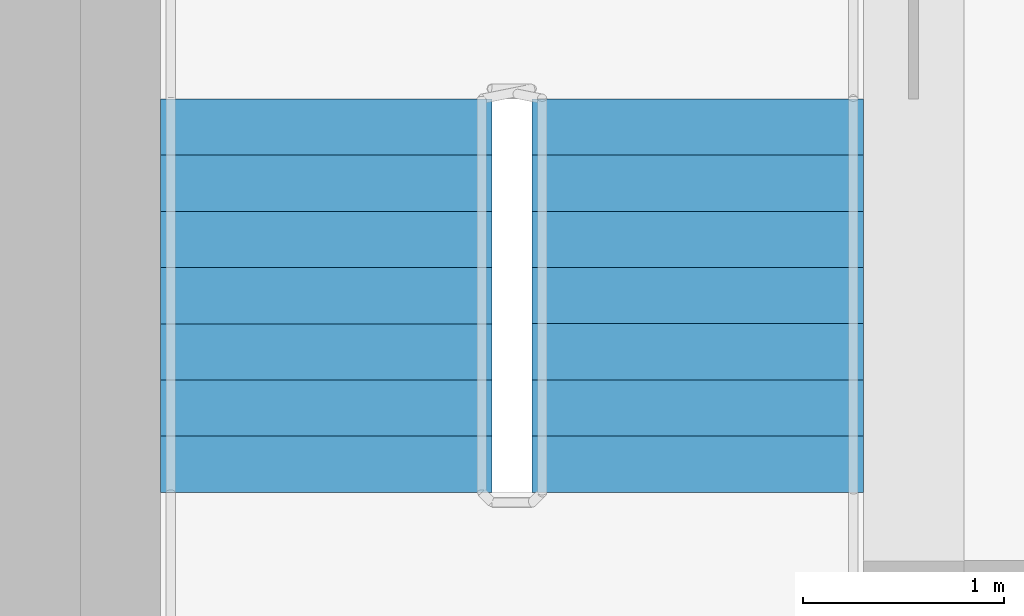
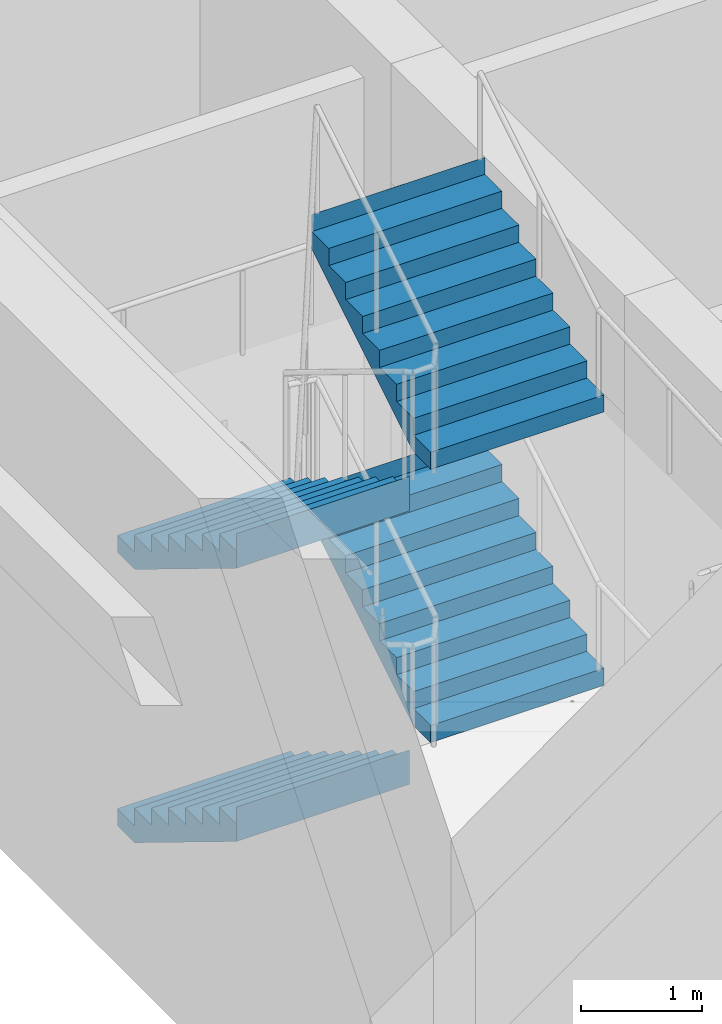
# One storey, part 4 of 8: 4 stair flights, 1 element without a shape of its own.
"""IFC4 building model written with IfcOpenShell, lengths in metres."""

import ifcopenshell
import ifcopenshell.guid

model = None  # the IFC model being written
_history = None  # IfcOwnerHistory: only IFC2X3 demands one
_inside = {}  # id of a spatial element -> (the spatial element, [elements in it])
_under = {}  # id of a project, library or spatial element -> (it, [spatial elements below it])
_declared = {}  # id of a project -> (the project, [libraries it declares])
_typed = {}  # id of a type object -> (the type object, [elements of that type])
_made_of = {}  # id of a material, layer set ... -> (it, [elements and type objects made of it])


def new_model(schema):
    """Start an empty IFC model of exactly this schema.

    Asked for "IFC4X3", IfcOpenShell would pick the latest addendum, in which some entities
    have other attributes; the version numbers below select the first issue.
    IFC2X3 requires an IfcOwnerHistory on every rooted entity: one is made here for all.
    """
    global model, _history
    if schema == "IFC4X3":
        model = ifcopenshell.file(schema_version=(4, 3, 0, 0))
    else:
        model = ifcopenshell.file(schema=schema)
    _inside.clear()
    _under.clear()
    _declared.clear()
    _typed.clear()
    _made_of.clear()
    _history = None
    if model.schema == "IFC2X3":
        org = make("IfcOrganization", Name="unknown")
        user = make(
            "IfcPersonAndOrganization",
            ThePerson=make("IfcPerson", FamilyName="unknown"),
            TheOrganization=org,
        )
        app = make(
            "IfcApplication",
            ApplicationDeveloper=org,
            Version="unknown",
            ApplicationFullName="unknown",
            ApplicationIdentifier="unknown",
        )
        _history = make(
            "IfcOwnerHistory",
            OwningUser=user,
            OwningApplication=app,
            ChangeAction="ADDED",
            CreationDate=0,
        )
    return model


def make(cls, **values):
    """One entity of the class cls with the attributes given. An attribute that is None is left unset."""
    return model.create_entity(
        cls, **{name: value for name, value in values.items() if value is not None}
    )


def rooted(cls, **values):
    """An entity with a GlobalId (a new one), such as an element, a storey or a relation."""
    return make(cls, GlobalId=ifcopenshell.guid.new(), OwnerHistory=_history, **values)


def si_unit(unit_type, name, prefix=None):
    """IfcSIUnit, for example si_unit("LENGTHUNIT", "METRE", prefix="MILLI")."""
    return make("IfcSIUnit", UnitType=unit_type, Prefix=prefix, Name=name)


def assignment(units):
    """IfcUnitAssignment: the units of a project."""
    return None if units is None else make("IfcUnitAssignment", Units=units)


def point(xyz):
    """IfcCartesianPoint."""
    return None if xyz is None else make("IfcCartesianPoint", Coordinates=xyz)


def direction(xyz):
    """IfcDirection."""
    return None if xyz is None else make("IfcDirection", DirectionRatios=xyz)


def frame(location, z_axis=None, x_axis=None):
    """IfcAxis2Placement3D, a coordinate frame: its origin and axes. An axis left out is left unset."""
    return make(
        "IfcAxis2Placement3D",
        Location=point(location),
        Axis=direction(z_axis),
        RefDirection=direction(x_axis),
    )


def origin():
    """The frame at (0, 0, 0) with its axes left unset."""
    return frame((0.0, 0.0, 0.0))


def place(relative_to, where):
    """IfcLocalPlacement: puts the frame where relative to a parent placement (None: the world)."""
    return make(
        "IfcLocalPlacement", PlacementRelTo=relative_to, RelativePlacement=where
    )


def context(
    kind, dimensions, precision=None, world=None, true_north=None, identifier=None
):
    """IfcGeometricRepresentationContext, for example the 3D "Model" context."""
    return make(
        "IfcGeometricRepresentationContext",
        ContextIdentifier=identifier,
        ContextType=kind,
        CoordinateSpaceDimension=dimensions,
        Precision=precision,
        WorldCoordinateSystem=world,
        TrueNorth=true_north,
    )


def subcontext(parent, identifier, kind, view, scale=None):
    """IfcGeometricRepresentationSubContext, for example "Body" below "Model"."""
    return make(
        "IfcGeometricRepresentationSubContext",
        ContextIdentifier=identifier,
        ContextType=kind,
        ParentContext=parent,
        TargetScale=scale,
        TargetView=view,
    )


def project(units=None, contexts=None):
    """IfcProject with its units and contexts."""
    return rooted(
        "IfcProject",
        Name="project",
        RepresentationContexts=contexts,
        UnitsInContext=assignment(units),
    )


def spatial(cls, under=None, at=None, **own):
    """A site, building, storey or space (cls), placed at a placement, below another one or the project."""
    s = rooted(cls, ObjectPlacement=at, **own)
    if under is not None:
        _under.setdefault(under.id(), (under, []))[1].append(s)
    return s


def polyline(points):
    """IfcPolyline through the points."""
    return make("IfcPolyline", Points=[point(p) for p in points])


def outline(outer, holes=None, kind="AREA"):
    """IfcArbitraryClosedProfileDef: a profile drawn as a closed curve; with holes, ...WithVoids."""
    if holes is None:
        return make("IfcArbitraryClosedProfileDef", ProfileType=kind, OuterCurve=outer)
    return make(
        "IfcArbitraryProfileDefWithVoids",
        ProfileType=kind,
        OuterCurve=outer,
        InnerCurves=holes,
    )


def extrude(swept, where, along, depth):
    """IfcExtrudedAreaSolid: the profile swept, set in the frame where, extruded along a direction by depth."""
    return make(
        "IfcExtrudedAreaSolid",
        SweptArea=swept,
        Position=where,
        ExtrudedDirection=direction(along),
        Depth=depth,
    )


def shape(context_of_items, identifier, shape_type, items):
    """IfcShapeRepresentation: the items that make up one representation, for example the "Body"."""
    return make(
        "IfcShapeRepresentation",
        ContextOfItems=context_of_items,
        RepresentationIdentifier=identifier,
        RepresentationType=shape_type,
        Items=items,
    )


def material(Name=None, Category=None):
    """IfcMaterial."""
    return make("IfcMaterial", Name=Name, Category=Category)


def made_of(thing, what):
    """Note that an element or type object is made of a material, layer set ...; save() writes the relation."""
    if what is not None:
        _made_of.setdefault(what.id(), (what, []))[1].append(thing)
    return thing


def type_object(cls, material=None, **own):
    """A type object (cls), such as IfcWallType, which elements share."""
    return made_of(rooted(cls, **own), material)


def element(
    cls,
    number,
    at=None,
    inside=None,
    cuts=None,
    type_object=None,
    material=None,
    context=None,
    identifier="Body",
    shape_type=None,
    held_by="IfcProductDefinitionShape",
    body=None,
    shapes=None,
    **own,
):
    """One element of the class cls, such as IfcWall. Its Tag is "e" and its number.

    at: its placement. inside: the storey or other place that contains it. cuts: it is an
    opening in that element (IfcRelVoidsElement). A single representation is given by context,
    identifier, shape_type and body (its items); several are given by shapes. held_by: the class
    of the entity that holds the representations. save() writes the other relations.
    """
    e = rooted(cls, Tag="e%d" % number, ObjectPlacement=at, **own)
    if body is not None:
        shapes = [shape(context, identifier, shape_type, body)]
    if shapes is not None:
        e.Representation = make(held_by, Representations=shapes)
    if inside is not None:
        _inside.setdefault(inside.id(), (inside, []))[1].append(e)
    if cuts is not None:
        rooted(
            "IfcRelVoidsElement", RelatingBuildingElement=cuts, RelatedOpeningElement=e
        )
    if type_object is not None:
        _typed.setdefault(type_object.id(), (type_object, []))[1].append(e)
    return made_of(e, material)


def aggregate(whole, parts):
    """IfcRelAggregates: a whole, such as a stair, and the parts it consists of."""
    return rooted("IfcRelAggregates", RelatingObject=whole, RelatedObjects=parts)


def save(model, path):
    """Write the relations noted so far, then the file.

    IfcRelAggregates (storeys below a building ...), IfcRelContainedInSpatialStructure (elements
    in a storey), IfcRelDefinesByType, IfcRelAssociatesMaterial and IfcRelDeclares: one each for
    every whole, place, type object, material and project.
    """
    for whole, parts in _under.values():
        aggregate(whole, parts)
    for where, things in _inside.values():
        rooted(
            "IfcRelContainedInSpatialStructure",
            RelatedElements=things,
            RelatingStructure=where,
        )
    for kind, things in _typed.values():
        rooted("IfcRelDefinesByType", RelatedObjects=things, RelatingType=kind)
    for what, things in _made_of.values():
        rooted("IfcRelAssociatesMaterial", RelatedObjects=things, RelatingMaterial=what)
    for by, libraries in _declared.values():
        rooted("IfcRelDeclares", RelatingContext=by, RelatedDefinitions=libraries)
    model.write(path)


model = new_model("IFC4")

# Units and contexts
model_context = context("Model", 3, precision=1e-05, world=origin(), true_north=direction((0.0, 1.0)))
body_context = subcontext(model_context, "Body", "Model", "MODEL_VIEW")
ifc_project = project(units=[si_unit("LENGTHUNIT", "METRE"), si_unit("AREAUNIT", "SQUARE_METRE"), si_unit("VOLUMEUNIT", "CUBIC_METRE"), si_unit("PLANEANGLEUNIT", "RADIAN"), si_unit("MASSUNIT", "GRAM", prefix="KILO")], contexts=[model_context])

# Site, building, storey
site_placement = place(None, origin())
site = spatial("IfcSite", under=ifc_project, at=site_placement, CompositionType="ELEMENT")
building_placement = place(site_placement, origin())
building = spatial("IfcBuilding", under=site, at=building_placement, Name="Tamorin Gate", CompositionType="ELEMENT")
storey_placement = place(building_placement, frame((0.0, 0.0, 314.699951171875)))
storey = spatial("IfcBuildingStorey", under=building, at=storey_placement, Name="L77", CompositionType="ELEMENT", Elevation=314.699951171875)

# Stair, stair flights
ifc_material = material(Name="Concrete C40/50", Category="concrete")
stair_type = type_object("IfcStairType", Name="Exit stair", PredefinedType="HALF_TURN_STAIR", material=ifc_material)
stair_placement = place(storey_placement, origin())
stair = element("IfcStair", 1, at=stair_placement, inside=storey, type_object=stair_type, Name="L77 stair ST1", PredefinedType="HALF_TURN_STAIR")
stair_flight_type = type_object("IfcStairFlightType", Name="Exit stair flight", PredefinedType="STRAIGHT", material=ifc_material)
stair_flight_1_placement = place(storey_placement, frame((31.824951171875, 66.5, 0.0), z_axis=(0.0, 0.0, 1.0), x_axis=(0.0, -1.0, 0.0)))
stair_flight_1 = element("IfcStairFlight", 2, at=stair_flight_1_placement, type_object=stair_flight_type, Name="ST1 flight 1", NumberOfRisers=8, NumberOfTreads=7, PredefinedType="STRAIGHT", RiserHeight=0.171875, TreadLength=0.28, context=body_context, shape_type="SweptSolid", body=[
    extrude(outline(polyline([(-0.00048828125, 0.0), (-0.00048828125, 0.001708984375), (-0.00048828125, 0.00341796875), (-0.00048828125, 0.005126953125), (-0.00048828125, 0.0068359375), (-0.00048828125, 0.008544921875), (-0.00048828125, 0.01025390625), (-0.00048828125, 0.011962890625), (-0.00048828125, 0.013671875), (-0.00048828125, 0.015380859375), (-0.00048828125, 0.01708984375), (-0.00048828125, 0.018798828125), (-0.00048828125, 0.0205078125), (-0.00048828125, 0.022216796875), (-0.00048828125, 0.02392578125), (-0.00048828125, 0.025634765625), (-0.00048828125, 0.02734375), (-0.00048828125, 0.02880859375), (-0.00048828125, 0.030517578125), (-0.00048828125, 0.0322265625), (-0.00048828125, 0.033935546875), (-0.00048828125, 0.03564453125), (-0.00048828125, 0.037353515625), (-0.00048828125, 0.0390625), (-0.00048828125, 0.040771484375), (-0.00048828125, 0.04248046875), (-0.00048828125, 0.044189453125), (-0.00048828125, 0.0458984375), (-0.00048828125, 0.047607421875), (-0.00048828125, 0.04931640625), (-0.00048828125, 0.051025390625), (-0.00048828125, 0.052734375), (-0.00048828125, 0.054443359375), (-0.00048828125, 0.05615234375), (-0.00048828125, 0.057861328125), (-0.00048828125, 0.0595703125), (-0.00048828125, 0.061279296875), (-0.00048828125, 0.06298828125), (-0.00048828125, 0.064697265625), (-0.00048828125, 0.06640625), (-0.00048828125, 0.068115234375), (-0.00048828125, 0.06982421875), (-0.00048828125, 0.071533203125), (-0.00048828125, 0.0732421875), (-0.00048828125, 0.074951171875), (-0.00048828125, 0.07666015625), (-0.00048828125, 0.078369140625), (-0.00048828125, 0.080078125), (-0.00048828125, 0.081787109375), (-0.00048828125, 0.08349609375), (-0.00048828125, 0.085205078125), (-0.00048828125, 0.086669921875), (-0.00048828125, 0.08837890625), (-0.00048828125, 0.090087890625), (-0.00048828125, 0.091796875), (-0.00048828125, 0.093505859375), (-0.00048828125, 0.09521484375), (-0.00048828125, 0.096923828125), (-0.00048828125, 0.0986328125), (-0.00048828125, 0.100341796875), (-0.00048828125, 0.10205078125), (-0.00048828125, 0.103759765625), (-0.00048828125, 0.10546875), (-0.00048828125, 0.107177734375), (-0.00048828125, 0.10888671875), (-0.00048828125, 0.110595703125), (-0.00048828125, 0.1123046875), (-0.00048828125, 0.114013671875), (-0.00048828125, 0.11572265625), (-0.00048828125, 0.117431640625), (-0.00048828125, 0.119140625), (-0.00048828125, 0.120849609375), (-0.00048828125, 0.12255859375), (-0.00048828125, 0.124267578125), (-0.00048828125, 0.1259765625), (-0.00048828125, 0.127685546875), (-0.00048828125, 0.12939453125), (-0.00048828125, 0.131103515625), (-0.00048828125, 0.1328125), (-0.00048828125, 0.134521484375), (-0.00048828125, 0.13623046875), (-0.00048828125, 0.137939453125), (-0.00048828125, 0.1396484375), (-0.00048828125, 0.141357421875), (-0.00048828125, 0.14306640625), (-0.00048828125, 0.14453125), (-0.00048828125, 0.146240234375), (-0.00048828125, 0.14794921875), (-0.00048828125, 0.149658203125), (-0.00048828125, 0.1513671875), (-0.00048828125, 0.153076171875), (-0.00048828125, 0.15478515625), (-0.00048828125, 0.156494140625), (-0.00048828125, 0.158203125), (-0.00048828125, 0.159912109375), (-0.00048828125, 0.16162109375), (-0.00048828125, 0.163330078125), (-0.00048828125, 0.1650390625), (-0.00048828125, 0.166748046875), (-0.00048828125, 0.16845703125), (-0.00048828125, 0.170166015625), (-0.00048828125, 0.171875), (0.280029296875, 0.171875), (0.280029296875, 0.34375), (0.56005859375, 0.34375), (0.56005859375, 0.515625), (0.840087890625, 0.515625), (0.840087890625, 0.6875), (1.1201171875, 0.6875), (1.1201171875, 0.859375), (1.39990234375, 0.859375), (1.39990234375, 1.03125), (1.679931640625, 1.03125), (1.679931640625, 1.203125), (1.9599609375, 1.203125), (1.9599609375, 1.375), (1.96044921875, 1.375), (1.96044921875, 1.37158203125), (1.96044921875, 1.3681640625), (1.96044921875, 1.36474609375), (1.96044921875, 1.361328125), (1.96044921875, 1.357666015625), (1.96044921875, 1.354248046875), (1.96044921875, 1.350830078125), (1.96044921875, 1.347412109375), (1.96044921875, 1.343994140625), (1.96044921875, 1.340576171875), (1.96044921875, 1.337158203125), (1.96044921875, 1.333740234375), (1.96044921875, 1.330322265625), (1.96044921875, 1.326904296875), (1.96044921875, 1.3232421875), (1.96044921875, 1.31982421875), (1.96044921875, 1.31640625), (1.96044921875, 1.31298828125), (1.96044921875, 1.3095703125), (1.96044921875, 1.30615234375), (1.96044921875, 1.302734375), (1.96044921875, 1.29931640625), (1.96044921875, 1.2958984375), (1.96044921875, 1.29248046875), (1.96044921875, 1.288818359375), (1.96044921875, 1.285400390625), (1.96044921875, 1.281982421875), (1.96044921875, 1.278564453125), (1.96044921875, 1.275146484375), (1.96044921875, 1.271728515625), (1.96044921875, 1.268310546875), (1.96044921875, 1.264892578125), (1.96044921875, 1.261474609375), (1.96044921875, 1.2578125), (1.96044921875, 1.25439453125), (1.96044921875, 1.2509765625), (1.96044921875, 1.24755859375), (1.96044921875, 1.244140625), (1.96044921875, 1.24072265625), (1.96044921875, 1.2373046875), (1.96044921875, 1.23388671875), (1.96044921875, 1.23046875), (1.96044921875, 1.22705078125), (1.96044921875, 1.223388671875), (1.96044921875, 1.219970703125), (1.96044921875, 1.216552734375), (1.96044921875, 1.213134765625), (1.96044921875, 1.209716796875), (1.96044921875, 1.206298828125), (1.96044921875, 1.202880859375), (1.96044921875, 1.199462890625), (1.96044921875, 1.196044921875), (1.96044921875, 1.192626953125), (1.96044921875, 1.18896484375), (1.96044921875, 1.185546875), (1.96044921875, 1.18212890625), (1.96044921875, 1.1787109375), (1.96044921875, 1.17529296875), (1.96044921875, 1.171875), (1.96044921875, 1.16845703125), (1.96044921875, 1.1650390625), (1.96044921875, 1.16162109375), (1.96044921875, 1.157958984375), (1.96044921875, 1.154541015625), (1.96044921875, 1.151123046875), (1.96044921875, 1.147705078125), (1.96044921875, 1.144287109375), (1.96044921875, 1.140869140625), (1.96044921875, 1.137451171875), (1.96044921875, 1.134033203125), (1.96044921875, 1.130615234375), (1.96044921875, 1.127197265625), (1.96044921875, 1.12353515625), (1.96044921875, 1.1201171875), (1.96044921875, 1.11669921875), (1.96044921875, 1.11328125), (1.96044921875, 1.10986328125), (1.96044921875, 1.1064453125), (1.96044921875, 1.10302734375), (1.96044921875, 1.099609375), (1.96044921875, 1.09619140625), (1.96044921875, 1.0927734375), (1.96044921875, 1.089111328125), (1.96044921875, 1.085693359375), (1.96044921875, 1.082275390625), (1.96044921875, 1.078857421875), (1.96044921875, 1.075439453125), (1.96044921875, 1.072021484375), (1.96044921875, 1.068603515625), (1.96044921875, 1.065185546875), (1.96044921875, 1.061767578125), (1.96044921875, 1.05810546875), (1.96044921875, 1.0546875), (1.96044921875, 1.05126953125), (1.96044921875, 1.0478515625), (1.96044921875, 1.04443359375), (1.96044921875, 1.041015625), (1.96044921875, 1.03759765625), (1.96044921875, 1.0341796875), (1.96044921875, 1.03076171875), (1.96044921875, 1.02734375), (1.9599609375, 1.02734375), (0.28662109375, 0.0), (-0.00048828125, 0.0)])), frame((0.0, 0.824951171875, 0.0), z_axis=(0.0, -1.0, 0.0), x_axis=(1.0, 0.0, 0.0)), (0.0, 0.0, 1.0), 1.64990234375),
])
stair_flight_2_placement = place(storey_placement, frame((33.675048828125, 64.5400390625, 1.375), z_axis=(0.0, 0.0, 1.0), x_axis=(0.0, 1.0, 0.0)))
stair_flight_2 = element("IfcStairFlight", 3, at=stair_flight_2_placement, type_object=stair_flight_type, Name="ST1 flight 2", NumberOfRisers=8, NumberOfTreads=7, PredefinedType="STRAIGHT", RiserHeight=0.171875, TreadLength=0.28, context=body_context, shape_type="SweptSolid", body=[
    extrude(outline(polyline([(-0.00048828125, 0.0), (-0.00048828125, 0.001708984375), (-0.00048828125, 0.00341796875), (-0.00048828125, 0.005126953125), (-0.00048828125, 0.0068359375), (-0.00048828125, 0.008544921875), (-0.00048828125, 0.01025390625), (-0.00048828125, 0.011962890625), (-0.00048828125, 0.013671875), (-0.00048828125, 0.015380859375), (-0.00048828125, 0.01708984375), (-0.00048828125, 0.018798828125), (-0.00048828125, 0.0205078125), (-0.00048828125, 0.022216796875), (-0.00048828125, 0.02392578125), (-0.00048828125, 0.025634765625), (-0.00048828125, 0.02734375), (-0.00048828125, 0.02880859375), (-0.00048828125, 0.030517578125), (-0.00048828125, 0.0322265625), (-0.00048828125, 0.033935546875), (-0.00048828125, 0.03564453125), (-0.00048828125, 0.037353515625), (-0.00048828125, 0.0390625), (-0.00048828125, 0.040771484375), (-0.00048828125, 0.04248046875), (-0.00048828125, 0.044189453125), (-0.00048828125, 0.0458984375), (-0.00048828125, 0.047607421875), (-0.00048828125, 0.04931640625), (-0.00048828125, 0.051025390625), (-0.00048828125, 0.052734375), (-0.00048828125, 0.054443359375), (-0.00048828125, 0.05615234375), (-0.00048828125, 0.057861328125), (-0.00048828125, 0.0595703125), (-0.00048828125, 0.061279296875), (-0.00048828125, 0.06298828125), (-0.00048828125, 0.064697265625), (-0.00048828125, 0.06640625), (-0.00048828125, 0.068115234375), (-0.00048828125, 0.06982421875), (-0.00048828125, 0.071533203125), (-0.00048828125, 0.0732421875), (-0.00048828125, 0.074951171875), (-0.00048828125, 0.07666015625), (-0.00048828125, 0.078369140625), (-0.00048828125, 0.080078125), (-0.00048828125, 0.081787109375), (-0.00048828125, 0.08349609375), (-0.00048828125, 0.085205078125), (-0.00048828125, 0.086669921875), (-0.00048828125, 0.08837890625), (-0.00048828125, 0.090087890625), (-0.00048828125, 0.091796875), (-0.00048828125, 0.093505859375), (-0.00048828125, 0.09521484375), (-0.00048828125, 0.096923828125), (-0.00048828125, 0.0986328125), (-0.00048828125, 0.100341796875), (-0.00048828125, 0.10205078125), (-0.00048828125, 0.103759765625), (-0.00048828125, 0.10546875), (-0.00048828125, 0.107177734375), (-0.00048828125, 0.10888671875), (-0.00048828125, 0.110595703125), (-0.00048828125, 0.1123046875), (-0.00048828125, 0.114013671875), (-0.00048828125, 0.11572265625), (-0.00048828125, 0.117431640625), (-0.00048828125, 0.119140625), (-0.00048828125, 0.120849609375), (-0.00048828125, 0.12255859375), (-0.00048828125, 0.124267578125), (-0.00048828125, 0.1259765625), (-0.00048828125, 0.127685546875), (-0.00048828125, 0.12939453125), (-0.00048828125, 0.131103515625), (-0.00048828125, 0.1328125), (-0.00048828125, 0.134521484375), (-0.00048828125, 0.13623046875), (-0.00048828125, 0.137939453125), (-0.00048828125, 0.1396484375), (-0.00048828125, 0.141357421875), (-0.00048828125, 0.14306640625), (-0.00048828125, 0.14453125), (-0.00048828125, 0.146240234375), (-0.00048828125, 0.14794921875), (-0.00048828125, 0.149658203125), (-0.00048828125, 0.1513671875), (-0.00048828125, 0.153076171875), (-0.00048828125, 0.15478515625), (-0.00048828125, 0.156494140625), (-0.00048828125, 0.158203125), (-0.00048828125, 0.159912109375), (-0.00048828125, 0.16162109375), (-0.00048828125, 0.163330078125), (-0.00048828125, 0.1650390625), (-0.00048828125, 0.166748046875), (-0.00048828125, 0.16845703125), (-0.00048828125, 0.170166015625), (-0.00048828125, 0.171875), (0.280029296875, 0.171875), (0.280029296875, 0.34375), (0.56005859375, 0.34375), (0.56005859375, 0.515625), (0.840087890625, 0.515625), (0.840087890625, 0.6875), (1.1201171875, 0.6875), (1.1201171875, 0.859375), (1.39990234375, 0.859375), (1.39990234375, 1.03125), (1.679931640625, 1.03125), (1.679931640625, 1.203125), (1.9599609375, 1.203125), (1.9599609375, 1.375), (1.96044921875, 1.375), (1.96044921875, 1.37158203125), (1.96044921875, 1.3681640625), (1.96044921875, 1.36474609375), (1.96044921875, 1.361328125), (1.96044921875, 1.357666015625), (1.96044921875, 1.354248046875), (1.96044921875, 1.350830078125), (1.96044921875, 1.347412109375), (1.96044921875, 1.343994140625), (1.96044921875, 1.340576171875), (1.96044921875, 1.337158203125), (1.96044921875, 1.333740234375), (1.96044921875, 1.330322265625), (1.96044921875, 1.326904296875), (1.96044921875, 1.3232421875), (1.96044921875, 1.31982421875), (1.96044921875, 1.31640625), (1.96044921875, 1.31298828125), (1.96044921875, 1.3095703125), (1.96044921875, 1.30615234375), (1.96044921875, 1.302734375), (1.96044921875, 1.29931640625), (1.96044921875, 1.2958984375), (1.96044921875, 1.29248046875), (1.96044921875, 1.288818359375), (1.96044921875, 1.285400390625), (1.96044921875, 1.281982421875), (1.96044921875, 1.278564453125), (1.96044921875, 1.275146484375), (1.96044921875, 1.271728515625), (1.96044921875, 1.268310546875), (1.96044921875, 1.264892578125), (1.96044921875, 1.261474609375), (1.96044921875, 1.2578125), (1.96044921875, 1.25439453125), (1.96044921875, 1.2509765625), (1.96044921875, 1.24755859375), (1.96044921875, 1.244140625), (1.96044921875, 1.24072265625), (1.96044921875, 1.2373046875), (1.96044921875, 1.23388671875), (1.96044921875, 1.23046875), (1.96044921875, 1.22705078125), (1.96044921875, 1.223388671875), (1.96044921875, 1.219970703125), (1.96044921875, 1.216552734375), (1.96044921875, 1.213134765625), (1.96044921875, 1.209716796875), (1.96044921875, 1.206298828125), (1.96044921875, 1.202880859375), (1.96044921875, 1.199462890625), (1.96044921875, 1.196044921875), (1.96044921875, 1.192626953125), (1.96044921875, 1.18896484375), (1.96044921875, 1.185546875), (1.96044921875, 1.18212890625), (1.96044921875, 1.1787109375), (1.96044921875, 1.17529296875), (1.96044921875, 1.171875), (1.96044921875, 1.16845703125), (1.96044921875, 1.1650390625), (1.96044921875, 1.16162109375), (1.96044921875, 1.157958984375), (1.96044921875, 1.154541015625), (1.96044921875, 1.151123046875), (1.96044921875, 1.147705078125), (1.96044921875, 1.144287109375), (1.96044921875, 1.140869140625), (1.96044921875, 1.137451171875), (1.96044921875, 1.134033203125), (1.96044921875, 1.130615234375), (1.96044921875, 1.127197265625), (1.96044921875, 1.12353515625), (1.96044921875, 1.1201171875), (1.96044921875, 1.11669921875), (1.96044921875, 1.11328125), (1.96044921875, 1.10986328125), (1.96044921875, 1.1064453125), (1.96044921875, 1.10302734375), (1.96044921875, 1.099609375), (1.96044921875, 1.09619140625), (1.96044921875, 1.0927734375), (1.96044921875, 1.089111328125), (1.96044921875, 1.085693359375), (1.96044921875, 1.082275390625), (1.96044921875, 1.078857421875), (1.96044921875, 1.075439453125), (1.96044921875, 1.072021484375), (1.96044921875, 1.068603515625), (1.96044921875, 1.065185546875), (1.96044921875, 1.061767578125), (1.96044921875, 1.05810546875), (1.96044921875, 1.0546875), (1.96044921875, 1.05126953125), (1.96044921875, 1.0478515625), (1.96044921875, 1.04443359375), (1.96044921875, 1.041015625), (1.96044921875, 1.03759765625), (1.96044921875, 1.0341796875), (1.96044921875, 1.03076171875), (1.96044921875, 1.02734375), (1.9599609375, 1.02734375), (0.28662109375, 0.0), (-0.00048828125, 0.0)])), frame((0.0, 0.824951171875, 0.0), z_axis=(0.0, -1.0, 0.0), x_axis=(1.0, 0.0, 0.0)), (0.0, 0.0, 1.0), 1.64990234375),
])
stair_flight_3_placement = place(storey_placement, frame((31.824951171875, 66.5, 2.75), z_axis=(0.0, 0.0, 1.0), x_axis=(0.0, -1.0, 0.0)))
stair_flight_3 = element("IfcStairFlight", 4, at=stair_flight_3_placement, type_object=stair_flight_type, Name="ST1 flight 3", NumberOfRisers=8, NumberOfTreads=7, PredefinedType="STRAIGHT", RiserHeight=0.171875, TreadLength=0.28, context=body_context, shape_type="SweptSolid", body=[
    extrude(outline(polyline([(-0.00048828125, 0.0), (-0.00048828125, 0.001708984375), (-0.00048828125, 0.00341796875), (-0.00048828125, 0.005126953125), (-0.00048828125, 0.0068359375), (-0.00048828125, 0.008544921875), (-0.00048828125, 0.01025390625), (-0.00048828125, 0.011962890625), (-0.00048828125, 0.013671875), (-0.00048828125, 0.015380859375), (-0.00048828125, 0.01708984375), (-0.00048828125, 0.018798828125), (-0.00048828125, 0.0205078125), (-0.00048828125, 0.022216796875), (-0.00048828125, 0.02392578125), (-0.00048828125, 0.025634765625), (-0.00048828125, 0.02734375), (-0.00048828125, 0.02880859375), (-0.00048828125, 0.030517578125), (-0.00048828125, 0.0322265625), (-0.00048828125, 0.033935546875), (-0.00048828125, 0.03564453125), (-0.00048828125, 0.037353515625), (-0.00048828125, 0.0390625), (-0.00048828125, 0.040771484375), (-0.00048828125, 0.04248046875), (-0.00048828125, 0.044189453125), (-0.00048828125, 0.0458984375), (-0.00048828125, 0.047607421875), (-0.00048828125, 0.04931640625), (-0.00048828125, 0.051025390625), (-0.00048828125, 0.052734375), (-0.00048828125, 0.054443359375), (-0.00048828125, 0.05615234375), (-0.00048828125, 0.057861328125), (-0.00048828125, 0.0595703125), (-0.00048828125, 0.061279296875), (-0.00048828125, 0.06298828125), (-0.00048828125, 0.064697265625), (-0.00048828125, 0.06640625), (-0.00048828125, 0.068115234375), (-0.00048828125, 0.06982421875), (-0.00048828125, 0.071533203125), (-0.00048828125, 0.0732421875), (-0.00048828125, 0.074951171875), (-0.00048828125, 0.07666015625), (-0.00048828125, 0.078369140625), (-0.00048828125, 0.080078125), (-0.00048828125, 0.081787109375), (-0.00048828125, 0.08349609375), (-0.00048828125, 0.085205078125), (-0.00048828125, 0.086669921875), (-0.00048828125, 0.08837890625), (-0.00048828125, 0.090087890625), (-0.00048828125, 0.091796875), (-0.00048828125, 0.093505859375), (-0.00048828125, 0.09521484375), (-0.00048828125, 0.096923828125), (-0.00048828125, 0.0986328125), (-0.00048828125, 0.100341796875), (-0.00048828125, 0.10205078125), (-0.00048828125, 0.103759765625), (-0.00048828125, 0.10546875), (-0.00048828125, 0.107177734375), (-0.00048828125, 0.10888671875), (-0.00048828125, 0.110595703125), (-0.00048828125, 0.1123046875), (-0.00048828125, 0.114013671875), (-0.00048828125, 0.11572265625), (-0.00048828125, 0.117431640625), (-0.00048828125, 0.119140625), (-0.00048828125, 0.120849609375), (-0.00048828125, 0.12255859375), (-0.00048828125, 0.124267578125), (-0.00048828125, 0.1259765625), (-0.00048828125, 0.127685546875), (-0.00048828125, 0.12939453125), (-0.00048828125, 0.131103515625), (-0.00048828125, 0.1328125), (-0.00048828125, 0.134521484375), (-0.00048828125, 0.13623046875), (-0.00048828125, 0.137939453125), (-0.00048828125, 0.1396484375), (-0.00048828125, 0.141357421875), (-0.00048828125, 0.14306640625), (-0.00048828125, 0.14453125), (-0.00048828125, 0.146240234375), (-0.00048828125, 0.14794921875), (-0.00048828125, 0.149658203125), (-0.00048828125, 0.1513671875), (-0.00048828125, 0.153076171875), (-0.00048828125, 0.15478515625), (-0.00048828125, 0.156494140625), (-0.00048828125, 0.158203125), (-0.00048828125, 0.159912109375), (-0.00048828125, 0.16162109375), (-0.00048828125, 0.163330078125), (-0.00048828125, 0.1650390625), (-0.00048828125, 0.166748046875), (-0.00048828125, 0.16845703125), (-0.00048828125, 0.170166015625), (-0.00048828125, 0.171875), (0.280029296875, 0.171875), (0.280029296875, 0.34375), (0.56005859375, 0.34375), (0.56005859375, 0.515625), (0.840087890625, 0.515625), (0.840087890625, 0.6875), (1.1201171875, 0.6875), (1.1201171875, 0.859375), (1.39990234375, 0.859375), (1.39990234375, 1.03125), (1.679931640625, 1.03125), (1.679931640625, 1.203125), (1.9599609375, 1.203125), (1.9599609375, 1.375), (1.96044921875, 1.375), (1.96044921875, 1.37158203125), (1.96044921875, 1.3681640625), (1.96044921875, 1.36474609375), (1.96044921875, 1.361328125), (1.96044921875, 1.357666015625), (1.96044921875, 1.354248046875), (1.96044921875, 1.350830078125), (1.96044921875, 1.347412109375), (1.96044921875, 1.343994140625), (1.96044921875, 1.340576171875), (1.96044921875, 1.337158203125), (1.96044921875, 1.333740234375), (1.96044921875, 1.330322265625), (1.96044921875, 1.326904296875), (1.96044921875, 1.3232421875), (1.96044921875, 1.31982421875), (1.96044921875, 1.31640625), (1.96044921875, 1.31298828125), (1.96044921875, 1.3095703125), (1.96044921875, 1.30615234375), (1.96044921875, 1.302734375), (1.96044921875, 1.29931640625), (1.96044921875, 1.2958984375), (1.96044921875, 1.29248046875), (1.96044921875, 1.288818359375), (1.96044921875, 1.285400390625), (1.96044921875, 1.281982421875), (1.96044921875, 1.278564453125), (1.96044921875, 1.275146484375), (1.96044921875, 1.271728515625), (1.96044921875, 1.268310546875), (1.96044921875, 1.264892578125), (1.96044921875, 1.261474609375), (1.96044921875, 1.2578125), (1.96044921875, 1.25439453125), (1.96044921875, 1.2509765625), (1.96044921875, 1.24755859375), (1.96044921875, 1.244140625), (1.96044921875, 1.24072265625), (1.96044921875, 1.2373046875), (1.96044921875, 1.23388671875), (1.96044921875, 1.23046875), (1.96044921875, 1.22705078125), (1.96044921875, 1.223388671875), (1.96044921875, 1.219970703125), (1.96044921875, 1.216552734375), (1.96044921875, 1.213134765625), (1.96044921875, 1.209716796875), (1.96044921875, 1.206298828125), (1.96044921875, 1.202880859375), (1.96044921875, 1.199462890625), (1.96044921875, 1.196044921875), (1.96044921875, 1.192626953125), (1.96044921875, 1.18896484375), (1.96044921875, 1.185546875), (1.96044921875, 1.18212890625), (1.96044921875, 1.1787109375), (1.96044921875, 1.17529296875), (1.96044921875, 1.171875), (1.96044921875, 1.16845703125), (1.96044921875, 1.1650390625), (1.96044921875, 1.16162109375), (1.96044921875, 1.157958984375), (1.96044921875, 1.154541015625), (1.96044921875, 1.151123046875), (1.96044921875, 1.147705078125), (1.96044921875, 1.144287109375), (1.96044921875, 1.140869140625), (1.96044921875, 1.137451171875), (1.96044921875, 1.134033203125), (1.96044921875, 1.130615234375), (1.96044921875, 1.127197265625), (1.96044921875, 1.12353515625), (1.96044921875, 1.1201171875), (1.96044921875, 1.11669921875), (1.96044921875, 1.11328125), (1.96044921875, 1.10986328125), (1.96044921875, 1.1064453125), (1.96044921875, 1.10302734375), (1.96044921875, 1.099609375), (1.96044921875, 1.09619140625), (1.96044921875, 1.0927734375), (1.96044921875, 1.089111328125), (1.96044921875, 1.085693359375), (1.96044921875, 1.082275390625), (1.96044921875, 1.078857421875), (1.96044921875, 1.075439453125), (1.96044921875, 1.072021484375), (1.96044921875, 1.068603515625), (1.96044921875, 1.065185546875), (1.96044921875, 1.061767578125), (1.96044921875, 1.05810546875), (1.96044921875, 1.0546875), (1.96044921875, 1.05126953125), (1.96044921875, 1.0478515625), (1.96044921875, 1.04443359375), (1.96044921875, 1.041015625), (1.96044921875, 1.03759765625), (1.96044921875, 1.0341796875), (1.96044921875, 1.03076171875), (1.96044921875, 1.02734375), (1.9599609375, 1.02734375), (0.28662109375, 0.0), (-0.00048828125, 0.0)])), frame((0.0, 0.824951171875, 0.0), z_axis=(0.0, -1.0, 0.0), x_axis=(1.0, 0.0, 0.0)), (0.0, 0.0, 1.0), 1.64990234375),
])
stair_flight_4_placement = place(storey_placement, frame((33.675048828125, 64.5400390625, 4.125), z_axis=(0.0, 0.0, 1.0), x_axis=(0.0, 1.0, 0.0)))
stair_flight_4 = element("IfcStairFlight", 5, at=stair_flight_4_placement, type_object=stair_flight_type, Name="ST1 flight 4", NumberOfRisers=8, NumberOfTreads=7, PredefinedType="STRAIGHT", RiserHeight=0.171875, TreadLength=0.28, context=body_context, shape_type="SweptSolid", body=[
    extrude(outline(polyline([(-0.00048828125, 0.0), (-0.00048828125, 0.001708984375), (-0.00048828125, 0.00341796875), (-0.00048828125, 0.005126953125), (-0.00048828125, 0.0068359375), (-0.00048828125, 0.008544921875), (-0.00048828125, 0.01025390625), (-0.00048828125, 0.011962890625), (-0.00048828125, 0.013671875), (-0.00048828125, 0.015380859375), (-0.00048828125, 0.01708984375), (-0.00048828125, 0.018798828125), (-0.00048828125, 0.0205078125), (-0.00048828125, 0.022216796875), (-0.00048828125, 0.02392578125), (-0.00048828125, 0.025634765625), (-0.00048828125, 0.02734375), (-0.00048828125, 0.02880859375), (-0.00048828125, 0.030517578125), (-0.00048828125, 0.0322265625), (-0.00048828125, 0.033935546875), (-0.00048828125, 0.03564453125), (-0.00048828125, 0.037353515625), (-0.00048828125, 0.0390625), (-0.00048828125, 0.040771484375), (-0.00048828125, 0.04248046875), (-0.00048828125, 0.044189453125), (-0.00048828125, 0.0458984375), (-0.00048828125, 0.047607421875), (-0.00048828125, 0.04931640625), (-0.00048828125, 0.051025390625), (-0.00048828125, 0.052734375), (-0.00048828125, 0.054443359375), (-0.00048828125, 0.05615234375), (-0.00048828125, 0.057861328125), (-0.00048828125, 0.0595703125), (-0.00048828125, 0.061279296875), (-0.00048828125, 0.06298828125), (-0.00048828125, 0.064697265625), (-0.00048828125, 0.06640625), (-0.00048828125, 0.068115234375), (-0.00048828125, 0.06982421875), (-0.00048828125, 0.071533203125), (-0.00048828125, 0.0732421875), (-0.00048828125, 0.074951171875), (-0.00048828125, 0.07666015625), (-0.00048828125, 0.078369140625), (-0.00048828125, 0.080078125), (-0.00048828125, 0.081787109375), (-0.00048828125, 0.08349609375), (-0.00048828125, 0.085205078125), (-0.00048828125, 0.086669921875), (-0.00048828125, 0.08837890625), (-0.00048828125, 0.090087890625), (-0.00048828125, 0.091796875), (-0.00048828125, 0.093505859375), (-0.00048828125, 0.09521484375), (-0.00048828125, 0.096923828125), (-0.00048828125, 0.0986328125), (-0.00048828125, 0.100341796875), (-0.00048828125, 0.10205078125), (-0.00048828125, 0.103759765625), (-0.00048828125, 0.10546875), (-0.00048828125, 0.107177734375), (-0.00048828125, 0.10888671875), (-0.00048828125, 0.110595703125), (-0.00048828125, 0.1123046875), (-0.00048828125, 0.114013671875), (-0.00048828125, 0.11572265625), (-0.00048828125, 0.117431640625), (-0.00048828125, 0.119140625), (-0.00048828125, 0.120849609375), (-0.00048828125, 0.12255859375), (-0.00048828125, 0.124267578125), (-0.00048828125, 0.1259765625), (-0.00048828125, 0.127685546875), (-0.00048828125, 0.12939453125), (-0.00048828125, 0.131103515625), (-0.00048828125, 0.1328125), (-0.00048828125, 0.134521484375), (-0.00048828125, 0.13623046875), (-0.00048828125, 0.137939453125), (-0.00048828125, 0.1396484375), (-0.00048828125, 0.141357421875), (-0.00048828125, 0.14306640625), (-0.00048828125, 0.14453125), (-0.00048828125, 0.146240234375), (-0.00048828125, 0.14794921875), (-0.00048828125, 0.149658203125), (-0.00048828125, 0.1513671875), (-0.00048828125, 0.153076171875), (-0.00048828125, 0.15478515625), (-0.00048828125, 0.156494140625), (-0.00048828125, 0.158203125), (-0.00048828125, 0.159912109375), (-0.00048828125, 0.16162109375), (-0.00048828125, 0.163330078125), (-0.00048828125, 0.1650390625), (-0.00048828125, 0.166748046875), (-0.00048828125, 0.16845703125), (-0.00048828125, 0.170166015625), (-0.00048828125, 0.171875), (0.280029296875, 0.171875), (0.280029296875, 0.34375), (0.56005859375, 0.34375), (0.56005859375, 0.515625), (0.840087890625, 0.515625), (0.840087890625, 0.6875), (1.1201171875, 0.6875), (1.1201171875, 0.859375), (1.39990234375, 0.859375), (1.39990234375, 1.03125), (1.679931640625, 1.03125), (1.679931640625, 1.203125), (1.9599609375, 1.203125), (1.9599609375, 1.375), (1.96044921875, 1.375), (1.96044921875, 1.37158203125), (1.96044921875, 1.3681640625), (1.96044921875, 1.36474609375), (1.96044921875, 1.361328125), (1.96044921875, 1.357666015625), (1.96044921875, 1.354248046875), (1.96044921875, 1.350830078125), (1.96044921875, 1.347412109375), (1.96044921875, 1.343994140625), (1.96044921875, 1.340576171875), (1.96044921875, 1.337158203125), (1.96044921875, 1.333740234375), (1.96044921875, 1.330322265625), (1.96044921875, 1.326904296875), (1.96044921875, 1.3232421875), (1.96044921875, 1.31982421875), (1.96044921875, 1.31640625), (1.96044921875, 1.31298828125), (1.96044921875, 1.3095703125), (1.96044921875, 1.30615234375), (1.96044921875, 1.302734375), (1.96044921875, 1.29931640625), (1.96044921875, 1.2958984375), (1.96044921875, 1.29248046875), (1.96044921875, 1.288818359375), (1.96044921875, 1.285400390625), (1.96044921875, 1.281982421875), (1.96044921875, 1.278564453125), (1.96044921875, 1.275146484375), (1.96044921875, 1.271728515625), (1.96044921875, 1.268310546875), (1.96044921875, 1.264892578125), (1.96044921875, 1.261474609375), (1.96044921875, 1.2578125), (1.96044921875, 1.25439453125), (1.96044921875, 1.2509765625), (1.96044921875, 1.24755859375), (1.96044921875, 1.244140625), (1.96044921875, 1.24072265625), (1.96044921875, 1.2373046875), (1.96044921875, 1.23388671875), (1.96044921875, 1.23046875), (1.96044921875, 1.22705078125), (1.96044921875, 1.223388671875), (1.96044921875, 1.219970703125), (1.96044921875, 1.216552734375), (1.96044921875, 1.213134765625), (1.96044921875, 1.209716796875), (1.96044921875, 1.206298828125), (1.96044921875, 1.202880859375), (1.96044921875, 1.199462890625), (1.96044921875, 1.196044921875), (1.96044921875, 1.192626953125), (1.96044921875, 1.18896484375), (1.96044921875, 1.185546875), (1.96044921875, 1.18212890625), (1.96044921875, 1.1787109375), (1.96044921875, 1.17529296875), (1.96044921875, 1.171875), (1.96044921875, 1.16845703125), (1.96044921875, 1.1650390625), (1.96044921875, 1.16162109375), (1.96044921875, 1.157958984375), (1.96044921875, 1.154541015625), (1.96044921875, 1.151123046875), (1.96044921875, 1.147705078125), (1.96044921875, 1.144287109375), (1.96044921875, 1.140869140625), (1.96044921875, 1.137451171875), (1.96044921875, 1.134033203125), (1.96044921875, 1.130615234375), (1.96044921875, 1.127197265625), (1.96044921875, 1.12353515625), (1.96044921875, 1.1201171875), (1.96044921875, 1.11669921875), (1.96044921875, 1.11328125), (1.96044921875, 1.10986328125), (1.96044921875, 1.1064453125), (1.96044921875, 1.10302734375), (1.96044921875, 1.099609375), (1.96044921875, 1.09619140625), (1.96044921875, 1.0927734375), (1.96044921875, 1.089111328125), (1.96044921875, 1.085693359375), (1.96044921875, 1.082275390625), (1.96044921875, 1.078857421875), (1.96044921875, 1.075439453125), (1.96044921875, 1.072021484375), (1.96044921875, 1.068603515625), (1.96044921875, 1.065185546875), (1.96044921875, 1.061767578125), (1.96044921875, 1.05810546875), (1.96044921875, 1.0546875), (1.96044921875, 1.05126953125), (1.96044921875, 1.0478515625), (1.96044921875, 1.04443359375), (1.96044921875, 1.041015625), (1.96044921875, 1.03759765625), (1.96044921875, 1.0341796875), (1.96044921875, 1.03076171875), (1.96044921875, 1.02734375), (1.9599609375, 1.02734375), (0.28662109375, 0.0), (-0.00048828125, 0.0)])), frame((0.0, 0.824951171875, 0.0), z_axis=(0.0, -1.0, 0.0), x_axis=(1.0, 0.0, 0.0)), (0.0, 0.0, 1.0), 1.64990234375),
])
aggregate(stair, [stair_flight_1, stair_flight_2, stair_flight_3, stair_flight_4])

save(model, "model.ifc")
